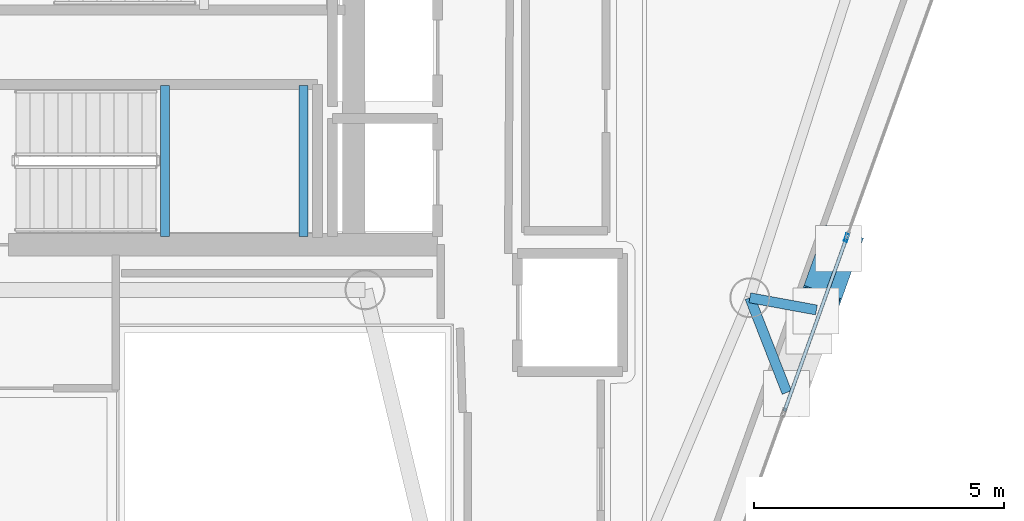
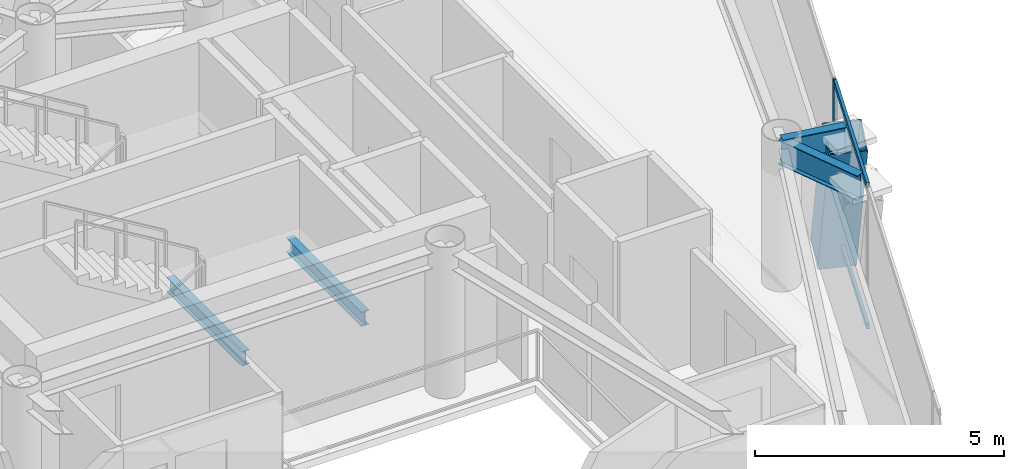
# One storey, part 10 of 19: 4 beams, 4 members, 1 element without a shape of its own.
"""IFC4 building model written with IfcOpenShell, lengths in metres."""

from ifc_helpers import new_model, si_unit, direction, frame, origin, origin_2d, place, context, subcontext, project, spatial, hollow_rectangle, i_section, extrude, material, layer, layer_set, material_profile, profile_set, type_object, element, aggregate, save


model = new_model("IFC4")

# Units and contexts
model_context = context("Model", 3, precision=1e-05, world=origin(), true_north=direction((0.0, 1.0)))
body_context = subcontext(model_context, "Body", "Model", "MODEL_VIEW")
ifc_project = project(units=[si_unit("LENGTHUNIT", "METRE"), si_unit("AREAUNIT", "SQUARE_METRE"), si_unit("VOLUMEUNIT", "CUBIC_METRE"), si_unit("PLANEANGLEUNIT", "RADIAN"), si_unit("MASSUNIT", "GRAM", prefix="KILO")], contexts=[model_context])

# Site, building, storey
site_placement = place(None, origin())
site = spatial("IfcSite", under=ifc_project, at=site_placement, CompositionType="ELEMENT")
building_placement = place(site_placement, origin())
building = spatial("IfcBuilding", under=site, at=building_placement, Name="Qianvela Tower", CompositionType="ELEMENT")
storey_placement = place(building_placement, frame((0.0, 0.0, 344.39990234375)))
storey = spatial("IfcBuildingStorey", under=building, at=storey_placement, Name="L89", CompositionType="ELEMENT", Elevation=344.39990234375)

# Beams
ifc_material_1 = material(Name="Steel Q355B", Category="steel")
ifc_material_profile_1 = material_profile(ifc_material_1, i_section(OverallWidth=0.175048828125, OverallDepth=0.35009765625, WebThickness=0.007080078125, FlangeThickness=0.010986328125, at=origin_2d()), Name="HN350x175x7x11")
ifc_profile_set_1 = profile_set([ifc_material_profile_1], Name="Steel Q355B")
beam_type_1 = type_object("IfcBeamType", Name="BM-HN350-JOIST", PredefinedType="JOIST", material=ifc_profile_set_1)
for number, where, z_axis, x_axis, name in (
    (1, (34.39990234375, 24.919921875, 1.47509765625), (0.0, 1.0, 0.0), (-1.0, 0.0, 0.0), "L89 Stair ST-2 Landing Support Beam 1.1"),
    (2, (37.169921875, 24.919921875, 1.47509765625), (0.0, 1.0, 0.0), (-1.0, 0.0, 0.0), "L89 Stair ST-2 Landing Support Beam 1.2"),
):
    element("IfcBeam", number, at=place(storey_placement, frame(where, z_axis=z_axis, x_axis=x_axis)), inside=storey, type_object=beam_type_1, Name=name, PredefinedType="JOIST", context=body_context, shape_type="SweptSolid", body=[
        extrude(i_section(OverallWidth=0.175048828125, OverallDepth=0.35009765625, WebThickness=0.007080078125, FlangeThickness=0.010986328125, at=origin_2d()), origin(), (0.0, 0.0, 1.0), 3.02001953125),
    ])
ifc_material_2 = material(Name="Steel Q355B", Category="steel")
ifc_material_profile_2 = material_profile(ifc_material_2, i_section(OverallWidth=0.199951171875, OverallDepth=0.60009765625, WebThickness=0.010986328125, FlangeThickness=0.01708984375, at=origin_2d()), Name="HN600x200x11x17")
ifc_profile_set_2 = profile_set([ifc_material_profile_2], Name="Steel Q355B")
beam_type_2 = type_object("IfcBeamType", Name="BM-HN600-GIRD", PredefinedType="BEAM", material=ifc_profile_set_2)
beam_1_placement = place(storey_placement, frame((46.094970703125, 23.69091796875, 3.218017578125), z_axis=(0.364467243894, -0.93121620912, 0.0), x_axis=(0.93121620912, 0.364467243894, 0.0)))
element("IfcBeam", 3, at=beam_1_placement, inside=storey, type_object=beam_type_2, Name="L89 Mega-Brace Column Tie Bracket F3-1", PredefinedType="BEAM", context=body_context, shape_type="SweptSolid", body=[
    extrude(i_section(OverallWidth=0.199951171875, OverallDepth=0.60009765625, WebThickness=0.010986328125, FlangeThickness=0.01708984375, at=origin_2d()), origin(), (0.0, 0.0, 1.0), 2.03369140625),
])
beam_2_placement = place(storey_placement, frame((46.094970703125, 23.69091796875, 3.218017578125), z_axis=(0.983632647581, -0.180185500564, 0.0), x_axis=(0.180185500564, 0.983632647581, 0.0)))
element("IfcBeam", 4, at=beam_2_placement, inside=storey, type_object=beam_type_2, Name="L89 Mega-Brace Column Tie Bracket F3-2", PredefinedType="BEAM", context=body_context, shape_type="SweptSolid", body=[
    extrude(i_section(OverallWidth=0.199951171875, OverallDepth=0.60009765625, WebThickness=0.010986328125, FlangeThickness=0.01708984375, at=origin_2d()), origin(), (0.0, 0.0, 1.0), 1.35498046875),
])

# Curtain wall, members
ifc_material_3 = material(Name="Anodised Architectural Aluminium and Insulated Spandrel Panel", Category="aluminium")
ifc_layer = layer(ifc_material_3, 0.179931640625)
ifc_layer_set = layer_set([ifc_layer], Name="Anodised Architectural Aluminium and Insulated Spandrel Panel")
curtain_wall_type = type_object("IfcCurtainWallType", Name="CW-BRACEBAY", PredefinedType="USERDEFINED", material=ifc_layer_set)
curtain_wall_placement = place(storey_placement, origin())
curtain_wall = element("IfcCurtainWall", 5, at=curtain_wall_placement, inside=storey, type_object=curtain_wall_type, Name="L89 CW-BRACEBAY Curtain Wall 06B", ObjectType="CURTAIN_WALL_SYSTEM", PredefinedType="USERDEFINED")
ifc_material_4 = material(Name="Anodised Architectural Aluminium 6063-T6", Category="aluminium")
ifc_material_profile_3 = material_profile(ifc_material_4, hollow_rectangle(XDim=0.06494140625, YDim=0.159912109375, WallThickness=0.0048828125, at=origin_2d()), Name="ALU-MULL-65x160")
ifc_profile_set_3 = profile_set([ifc_material_profile_3], Name="Anodised Architectural Aluminium 6063-T6")
member_type_1 = type_object("IfcMemberType", Name="CW-BRACEBAY-MULL", PredefinedType="MULLION", material=ifc_profile_set_3)
member_1_placement = place(storey_placement, frame((48.030517578125, 24.89111328125, 0.0), z_axis=(0.0, 0.0, 1.0), x_axis=(-0.94131260429, 0.337536044009, 0.0)))
member_1 = element("IfcMember", 6, at=member_1_placement, type_object=member_type_1, Name="CW-9 mullion 2", PredefinedType="MULLION", context=body_context, shape_type="SweptSolid", body=[
    extrude(hollow_rectangle(XDim=0.06494140625, YDim=0.159912109375, WallThickness=0.0048828125, at=origin_2d()), origin(), (0.0, 0.0, 1.0), 3.52001953125),
])
ifc_material_5 = material(Name="Anodised Architectural Aluminium 6063-T6", Category="aluminium")
ifc_material_profile_4 = material_profile(ifc_material_5, hollow_rectangle(XDim=0.06494140625, YDim=0.1298828125, WallThickness=0.00439453125, at=origin_2d()), Name="ALU-TRAN-65x130")
ifc_profile_set_4 = profile_set([ifc_material_profile_4], Name="Anodised Architectural Aluminium 6063-T6")
member_type_2 = type_object("IfcMemberType", Name="CW-BRACEBAY-TRAN", PredefinedType="USERDEFINED", material=ifc_profile_set_4)
member_2_placement = place(storey_placement, frame((46.78759765625, 21.424560546875, 0.03271484375), z_axis=(0.337577596077, 0.941297703506, 0.0), x_axis=(-0.941297703506, 0.337577596077, 0.0)))
member_2 = element("IfcMember", 7, at=member_2_placement, type_object=member_type_2, Name="CW-9 transom 1.1", ObjectType="TRANSOM", PredefinedType="USERDEFINED", context=body_context, shape_type="SweptSolid", body=[
    extrude(hollow_rectangle(XDim=0.06494140625, YDim=0.1298828125, WallThickness=0.00439453125, at=origin_2d()), origin(), (0.0, 0.0, 1.0), 3.650146484375),
])
member_3_placement = place(storey_placement, frame((46.78759765625, 21.424560546875, 3.487548828125), z_axis=(0.337577596077, 0.941297703506, 0.0), x_axis=(-0.941297703506, 0.337577596077, 0.0)))
member_3 = element("IfcMember", 8, at=member_3_placement, type_object=member_type_2, Name="CW-9 transom 1.2", ObjectType="TRANSOM", PredefinedType="USERDEFINED", context=body_context, shape_type="SweptSolid", body=[
    extrude(hollow_rectangle(XDim=0.06494140625, YDim=0.1298828125, WallThickness=0.00439453125, at=origin_2d()), origin(), (0.0, 0.0, 1.0), 3.650146484375),
])
aggregate(curtain_wall, [member_1, member_2, member_3])

# Member
ifc_material_6 = material(Name="Steel Q420GJC", Category="steel")
ifc_material_profile_5 = material_profile(ifc_material_6, hollow_rectangle(XDim=0.800048828125, YDim=0.800048828125, WallThickness=0.028076171875, at=origin_2d()), Name="MBOX-800x800x28")
ifc_profile_set_5 = profile_set([ifc_material_profile_5], Name="Steel Q420GJC")
member_type_3 = type_object("IfcMemberType", Name="MBR-MBRACE-800", PredefinedType="BRACE", material=ifc_profile_set_5)
member_4_placement = place(storey_placement, frame((47.86279296875, 24.66015625, -0.48193359375), z_axis=(-0.111039256211, -0.309688610196, 0.944332170528), x_axis=(0.941321239449, -0.337511961509, 0.0)))
element("IfcMember", 9, at=member_4_placement, inside=storey, type_object=member_type_3, Name="L89 Tier 15 Exterior Mega-Brace F3B", PredefinedType="BRACE", context=body_context, shape_type="SweptSolid", body=[
    extrude(hollow_rectangle(XDim=0.800048828125, YDim=0.800048828125, WallThickness=0.028076171875, at=origin_2d()), origin(), (0.0, 0.0, 1.0), 3.91796875),
])

save(model, "model.ifc")
